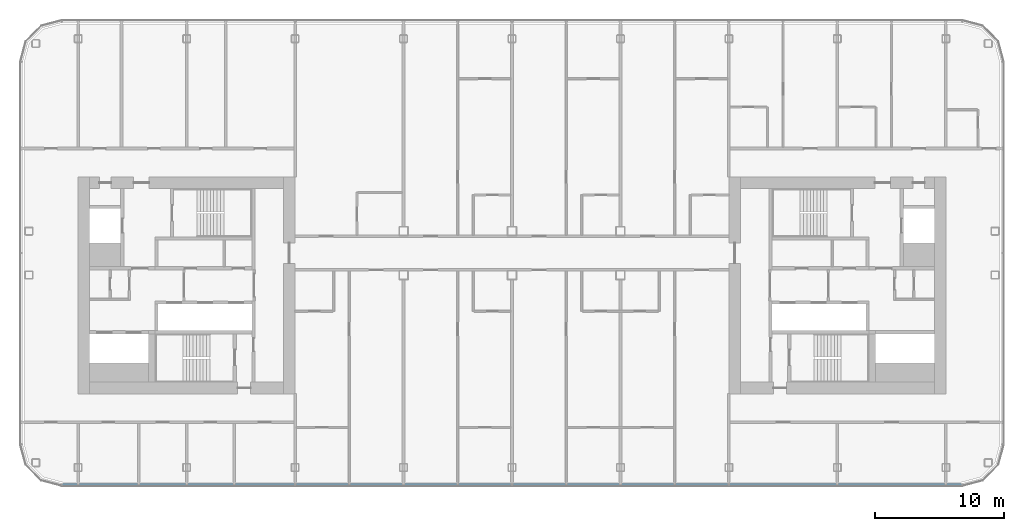
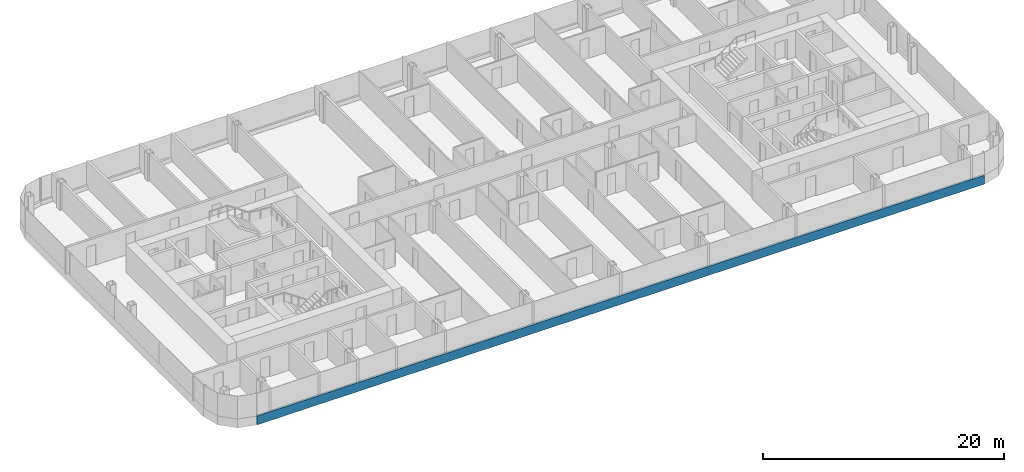
# One storey, part 4 of 26: 1 member, 1 element without a shape of its own.
"""IFC4 building model written with IfcOpenShell, lengths in metres."""

from ifc_helpers import new_model, si_unit, direction, frame, origin, origin_2d, place, context, subcontext, project, spatial, rectangle, extrude, material, layer, layer_set, material_profile, profile_set, type_object, element, aggregate, save


model = new_model("IFC4")

# Units and contexts
model_context = context("Model", 3, precision=1e-05, world=origin(), true_north=direction((0.0, 1.0)))
body_context = subcontext(model_context, "Body", "Model", "MODEL_VIEW")
ifc_project = project(units=[si_unit("LENGTHUNIT", "METRE"), si_unit("AREAUNIT", "SQUARE_METRE"), si_unit("VOLUMEUNIT", "CUBIC_METRE"), si_unit("PLANEANGLEUNIT", "RADIAN"), si_unit("MASSUNIT", "GRAM", prefix="KILO")], contexts=[model_context])

# Site, building, storey
site_placement = place(None, origin())
site = spatial("IfcSite", under=ifc_project, at=site_placement, CompositionType="ELEMENT")
building_placement = place(site_placement, origin())
building = spatial("IfcBuilding", under=site, at=building_placement, Name="Hakoniwa Tower and Hamabe Station Hall", CompositionType="ELEMENT")
storey_placement = place(building_placement, frame((0.0, 0.0, 215.39990234375)))
storey = spatial("IfcBuildingStorey", under=building, at=storey_placement, Name="L61", CompositionType="ELEMENT", Elevation=215.39990234375)

# Curtain wall, member
ifc_material_1 = material(Name="Dark low-e laminated glass", Category="glass")
ifc_layer = layer(ifc_material_1, 0.199951171875)
ifc_layer_set = layer_set([ifc_layer], Name="CW-1 UNITISED GUEST")
curtain_wall_type = type_object("IfcCurtainWallType", Name="CW-1 UNITISED GUEST", PredefinedType="NOTDEFINED", material=ifc_layer_set)
curtain_wall_placement = place(storey_placement, origin())
curtain_wall = element("IfcCurtainWall", 1, at=curtain_wall_placement, inside=storey, type_object=curtain_wall_type, Name="CW-1 curtain wall", PredefinedType="NOTDEFINED")
ifc_material_2 = material(Name="Aluminium 6063-T5 black anodised", Category="aluminium")
ifc_material_profile = material_profile(ifc_material_2, rectangle(XDim=0.199951171875, YDim=0.89990234375, at=origin_2d()), Name="CW SLAB-EDGE BAND 900X200")
ifc_profile_set = profile_set([ifc_material_profile], Name="Aluminium 6063-T5 black anodised")
member_type = type_object("IfcMemberType", Name="CW SLAB-EDGE BAND 900X200", PredefinedType="USERDEFINED", material=ifc_profile_set)
member_placement = place(storey_placement, frame((-34.839599609375, -15.449951171875, -0.099853515625), z_axis=(1.0, 0.0, 0.0), x_axis=(0.0, 1.0, 0.0)))
member = element("IfcMember", 2, at=member_placement, type_object=member_type, Name="CW-1 transom", ObjectType="TRANSOM", PredefinedType="USERDEFINED", context=body_context, shape_type="SweptSolid", body=[
    extrude(rectangle(XDim=0.199951171875, YDim=0.89990234375, at=origin_2d()), origin(), (0.0, 0.0, 1.0), 69.67919921875),
])
aggregate(curtain_wall, [member])

save(model, "model.ifc")
